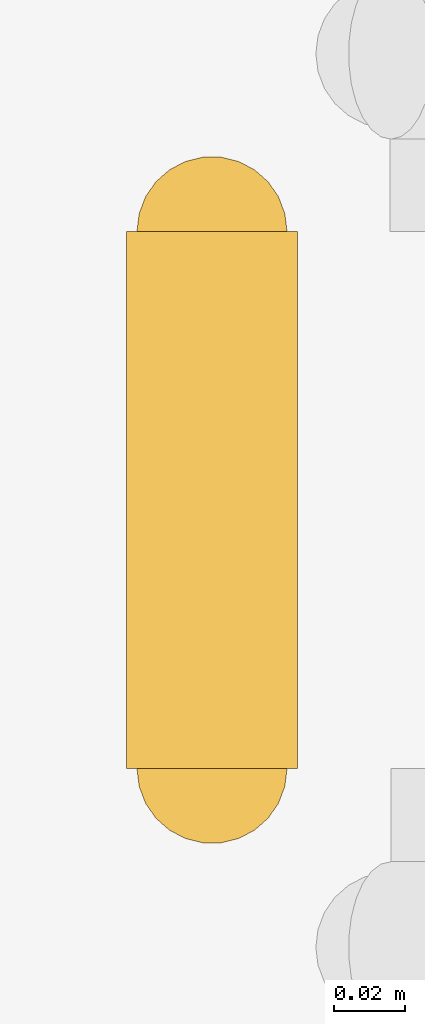
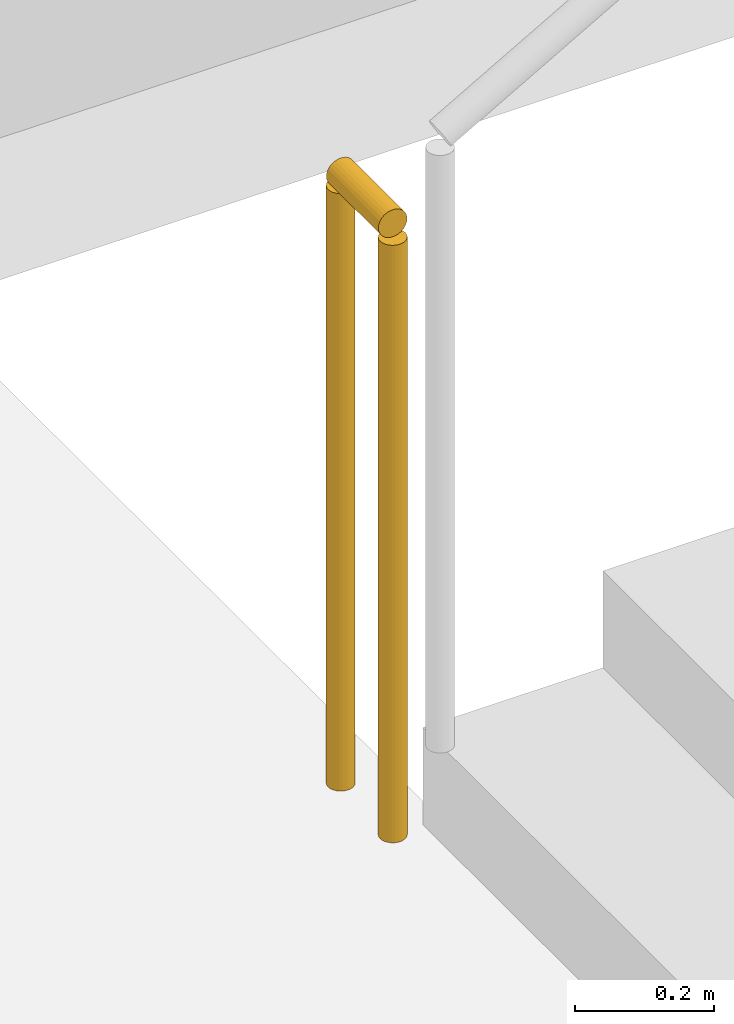
# One storey, part 33 of 36: 1 railing.
"""IFC4 building model written with IfcOpenShell, lengths in metres."""

from ifc_helpers import new_model, si_unit, direction, frame, origin, origin_2d, place, context, subcontext, project, spatial, circle, extrude, material, type_object, element, save


model = new_model("IFC4")

# Units and contexts
model_context = context("Model", 3, precision=1e-05, world=origin(), true_north=direction((0.0, 1.0)))
body_context = subcontext(model_context, "Body", "Model", "MODEL_VIEW")
ifc_project = project(units=[si_unit("LENGTHUNIT", "METRE"), si_unit("AREAUNIT", "SQUARE_METRE"), si_unit("VOLUMEUNIT", "CUBIC_METRE"), si_unit("PLANEANGLEUNIT", "RADIAN"), si_unit("MASSUNIT", "GRAM", prefix="KILO")], contexts=[model_context])

# Site, building, storey
site_placement = place(None, origin())
site = spatial("IfcSite", under=ifc_project, at=site_placement, CompositionType="ELEMENT")
building_placement = place(site_placement, origin())
building = spatial("IfcBuilding", under=site, at=building_placement, Name="Corbel Stack Research Tower", CompositionType="ELEMENT")
storey_placement = place(building_placement, frame((0.0, 0.0, 7.199951171875)))
storey = spatial("IfcBuildingStorey", under=building, at=storey_placement, Name="L01", CompositionType="ELEMENT", Elevation=7.199951171875)

# Railing
ifc_material = material(Name="Steel S235", Category="steel")
railing_type = type_object("IfcRailingType", Name="HR1 guard 1100", PredefinedType="GUARDRAIL", material=ifc_material)
railing_placement = place(storey_placement, frame((95.425048828125, 21.699951171875, 0.0)))
element("IfcRailing", 1, at=railing_placement, inside=storey, type_object=railing_type, Name="L01 HS2 stair guard 4", PredefinedType="GUARDRAIL", context=body_context, shape_type="SweptSolid", body=[
    extrude(circle(Radius=0.02392578125, at=origin_2d()), frame((0.0, 0.0, 1.076171875), z_axis=(0.0, 1.0, 0.0), x_axis=(-1.0, 0.0, 0.0)), (0.0, 0.0, 1.0), 0.150146484375),
    extrude(circle(Radius=0.02099609375, at=origin_2d()), origin(), (0.0, 0.0, 1.0), 1.052001953125),
    extrude(circle(Radius=0.02099609375, at=origin_2d()), frame((0.0, 0.150146484375, 0.0)), (0.0, 0.0, 1.0), 1.052001953125),
])

save(model, "model.ifc")
